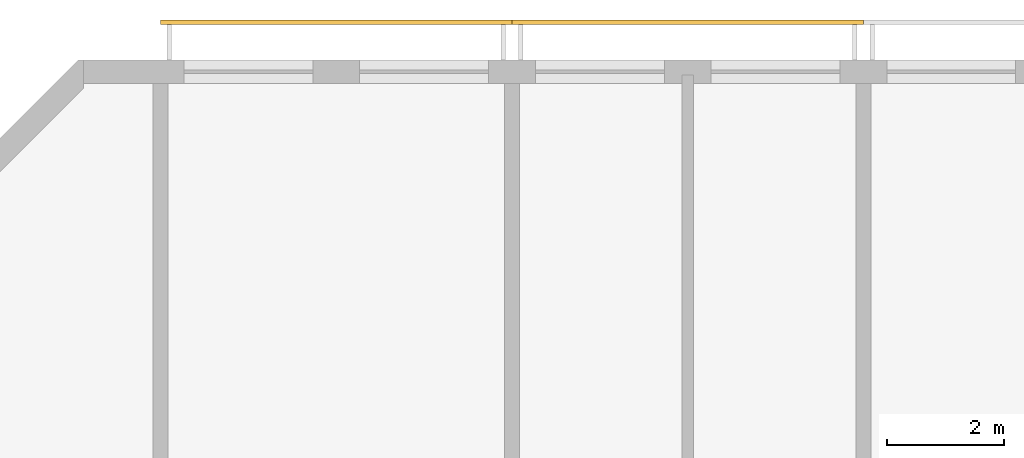
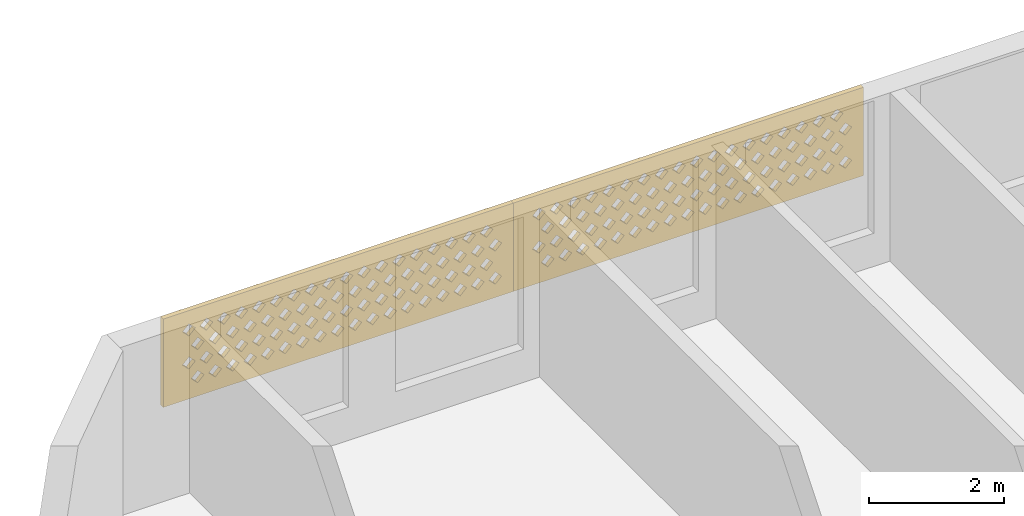
# One storey, part 16 of 18: 2 coverings.
"""IFC4 building model written with IfcOpenShell, lengths in metres."""

from ifc_helpers import new_model, si_unit, direction, frame, origin, place, context, subcontext, project, spatial, polyline, outline, extrude, source, transform, mapped, material, material_profile, profile_set, type_object, element, save


model = new_model("IFC4")

# Units and contexts
model_context = context("Model", 3, precision=1e-05, world=origin(), true_north=direction((0.0, 1.0)))
body_context = subcontext(model_context, "Body", "Model", "MODEL_VIEW")
ifc_project = project(units=[si_unit("LENGTHUNIT", "METRE"), si_unit("AREAUNIT", "SQUARE_METRE"), si_unit("VOLUMEUNIT", "CUBIC_METRE"), si_unit("PLANEANGLEUNIT", "RADIAN"), si_unit("MASSUNIT", "GRAM", prefix="KILO")], contexts=[model_context])

# Site, building, storey
site_placement = place(None, origin())
site = spatial("IfcSite", under=ifc_project, at=site_placement, CompositionType="ELEMENT")
building_placement = place(site_placement, origin())
building = spatial("IfcBuilding", under=site, at=building_placement, Name="Poui Terraces", CompositionType="ELEMENT")
storey_placement = place(building_placement, frame((0.0, 0.0, 285.60009765625)))
storey = spatial("IfcBuildingStorey", under=building, at=storey_placement, Name="L79 CROWN", CompositionType="ELEMENT", Elevation=285.60009765625)

# Coverings
ifc_material = material(Name="Terracotta screen", Category="masonry")
ifc_material_profile = material_profile(ifc_material, outline(polyline([(-3.0, -0.800048828125), (3.0, -0.800048828125), (3.0, 0.800048828125), (-3.0, 0.800048828125), (-3.0, -0.800048828125)]), holes=[polyline([(-2.800048828125, -0.449951171875), (-2.68994140625, -0.56005859375), (-2.580078125, -0.449951171875), (-2.68994140625, -0.340087890625), (-2.800048828125, -0.449951171875)]), polyline([(-2.5, -0.449951171875), (-2.389892578125, -0.56005859375), (-2.280029296875, -0.449951171875), (-2.389892578125, -0.340087890625), (-2.5, -0.449951171875)]), polyline([(-2.199951171875, -0.449951171875), (-2.090087890625, -0.56005859375), (-1.97998046875, -0.449951171875), (-2.090087890625, -0.340087890625), (-2.199951171875, -0.449951171875)]), polyline([(-1.89990234375, -0.449951171875), (-1.7900390625, -0.56005859375), (-1.679931640625, -0.449951171875), (-1.7900390625, -0.340087890625), (-1.89990234375, -0.449951171875)]), polyline([(-1.60009765625, -0.449951171875), (-1.489990234375, -0.56005859375), (-1.3798828125, -0.449951171875), (-1.489990234375, -0.340087890625), (-1.60009765625, -0.449951171875)]), polyline([(-1.300048828125, -0.449951171875), (-1.18994140625, -0.56005859375), (-1.080078125, -0.449951171875), (-1.18994140625, -0.340087890625), (-1.300048828125, -0.449951171875)]), polyline([(-1.0, -0.449951171875), (-0.889892578125, -0.56005859375), (-0.780029296875, -0.449951171875), (-0.889892578125, -0.340087890625), (-1.0, -0.449951171875)]), polyline([(-0.699951171875, -0.449951171875), (-0.590087890625, -0.56005859375), (-0.47998046875, -0.449951171875), (-0.590087890625, -0.340087890625), (-0.699951171875, -0.449951171875)]), polyline([(-0.39990234375, -0.449951171875), (-0.2900390625, -0.56005859375), (-0.179931640625, -0.449951171875), (-0.2900390625, -0.340087890625), (-0.39990234375, -0.449951171875)]), polyline([(-0.10009765625, -0.449951171875), (0.010009765625, -0.56005859375), (0.1201171875, -0.449951171875), (0.010009765625, -0.340087890625), (-0.10009765625, -0.449951171875)]), polyline([(0.199951171875, -0.449951171875), (0.31005859375, -0.56005859375), (0.419921875, -0.449951171875), (0.31005859375, -0.340087890625), (0.199951171875, -0.449951171875)]), polyline([(0.5, -0.449951171875), (0.610107421875, -0.56005859375), (0.719970703125, -0.449951171875), (0.610107421875, -0.340087890625), (0.5, -0.449951171875)]), polyline([(0.800048828125, -0.449951171875), (0.909912109375, -0.56005859375), (1.02001953125, -0.449951171875), (0.909912109375, -0.340087890625), (0.800048828125, -0.449951171875)]), polyline([(1.10009765625, -0.449951171875), (1.2099609375, -0.56005859375), (1.320068359375, -0.449951171875), (1.2099609375, -0.340087890625), (1.10009765625, -0.449951171875)]), polyline([(1.39990234375, -0.449951171875), (1.510009765625, -0.56005859375), (1.6201171875, -0.449951171875), (1.510009765625, -0.340087890625), (1.39990234375, -0.449951171875)]), polyline([(1.699951171875, -0.449951171875), (1.81005859375, -0.56005859375), (1.919921875, -0.449951171875), (1.81005859375, -0.340087890625), (1.699951171875, -0.449951171875)]), polyline([(2.0, -0.449951171875), (2.110107421875, -0.56005859375), (2.219970703125, -0.449951171875), (2.110107421875, -0.340087890625), (2.0, -0.449951171875)]), polyline([(2.300048828125, -0.449951171875), (2.409912109375, -0.56005859375), (2.52001953125, -0.449951171875), (2.409912109375, -0.340087890625), (2.300048828125, -0.449951171875)]), polyline([(-2.64990234375, -0.14990234375), (-2.5400390625, -0.260009765625), (-2.429931640625, -0.14990234375), (-2.5400390625, -0.0400390625), (-2.64990234375, -0.14990234375)]), polyline([(-2.35009765625, -0.14990234375), (-2.239990234375, -0.260009765625), (-2.1298828125, -0.14990234375), (-2.239990234375, -0.0400390625), (-2.35009765625, -0.14990234375)]), polyline([(-2.050048828125, -0.14990234375), (-1.93994140625, -0.260009765625), (-1.830078125, -0.14990234375), (-1.93994140625, -0.0400390625), (-2.050048828125, -0.14990234375)]), polyline([(-1.75, -0.14990234375), (-1.639892578125, -0.260009765625), (-1.530029296875, -0.14990234375), (-1.639892578125, -0.0400390625), (-1.75, -0.14990234375)]), polyline([(-1.449951171875, -0.14990234375), (-1.340087890625, -0.260009765625), (-1.22998046875, -0.14990234375), (-1.340087890625, -0.0400390625), (-1.449951171875, -0.14990234375)]), polyline([(-1.14990234375, -0.14990234375), (-1.0400390625, -0.260009765625), (-0.929931640625, -0.14990234375), (-1.0400390625, -0.0400390625), (-1.14990234375, -0.14990234375)]), polyline([(-0.85009765625, -0.14990234375), (-0.739990234375, -0.260009765625), (-0.6298828125, -0.14990234375), (-0.739990234375, -0.0400390625), (-0.85009765625, -0.14990234375)]), polyline([(-0.550048828125, -0.14990234375), (-0.43994140625, -0.260009765625), (-0.330078125, -0.14990234375), (-0.43994140625, -0.0400390625), (-0.550048828125, -0.14990234375)]), polyline([(-0.25, -0.14990234375), (-0.139892578125, -0.260009765625), (-0.030029296875, -0.14990234375), (-0.139892578125, -0.0400390625), (-0.25, -0.14990234375)]), polyline([(0.050048828125, -0.14990234375), (0.159912109375, -0.260009765625), (0.27001953125, -0.14990234375), (0.159912109375, -0.0400390625), (0.050048828125, -0.14990234375)]), polyline([(0.35009765625, -0.14990234375), (0.4599609375, -0.260009765625), (0.570068359375, -0.14990234375), (0.4599609375, -0.0400390625), (0.35009765625, -0.14990234375)]), polyline([(0.64990234375, -0.14990234375), (0.760009765625, -0.260009765625), (0.8701171875, -0.14990234375), (0.760009765625, -0.0400390625), (0.64990234375, -0.14990234375)]), polyline([(0.949951171875, -0.14990234375), (1.06005859375, -0.260009765625), (1.169921875, -0.14990234375), (1.06005859375, -0.0400390625), (0.949951171875, -0.14990234375)]), polyline([(1.25, -0.14990234375), (1.360107421875, -0.260009765625), (1.469970703125, -0.14990234375), (1.360107421875, -0.0400390625), (1.25, -0.14990234375)]), polyline([(1.550048828125, -0.14990234375), (1.659912109375, -0.260009765625), (1.77001953125, -0.14990234375), (1.659912109375, -0.0400390625), (1.550048828125, -0.14990234375)]), polyline([(1.85009765625, -0.14990234375), (1.9599609375, -0.260009765625), (2.070068359375, -0.14990234375), (1.9599609375, -0.0400390625), (1.85009765625, -0.14990234375)]), polyline([(2.14990234375, -0.14990234375), (2.260009765625, -0.260009765625), (2.3701171875, -0.14990234375), (2.260009765625, -0.0400390625), (2.14990234375, -0.14990234375)]), polyline([(2.449951171875, -0.14990234375), (2.56005859375, -0.260009765625), (2.669921875, -0.14990234375), (2.56005859375, -0.0400390625), (2.449951171875, -0.14990234375)]), polyline([(-2.800048828125, 0.14990234375), (-2.68994140625, 0.0400390625), (-2.580078125, 0.14990234375), (-2.68994140625, 0.260009765625), (-2.800048828125, 0.14990234375)]), polyline([(-2.5, 0.14990234375), (-2.389892578125, 0.0400390625), (-2.280029296875, 0.14990234375), (-2.389892578125, 0.260009765625), (-2.5, 0.14990234375)]), polyline([(-2.199951171875, 0.14990234375), (-2.090087890625, 0.0400390625), (-1.97998046875, 0.14990234375), (-2.090087890625, 0.260009765625), (-2.199951171875, 0.14990234375)]), polyline([(-1.89990234375, 0.14990234375), (-1.7900390625, 0.0400390625), (-1.679931640625, 0.14990234375), (-1.7900390625, 0.260009765625), (-1.89990234375, 0.14990234375)]), polyline([(-1.60009765625, 0.14990234375), (-1.489990234375, 0.0400390625), (-1.3798828125, 0.14990234375), (-1.489990234375, 0.260009765625), (-1.60009765625, 0.14990234375)]), polyline([(-1.300048828125, 0.14990234375), (-1.18994140625, 0.0400390625), (-1.080078125, 0.14990234375), (-1.18994140625, 0.260009765625), (-1.300048828125, 0.14990234375)]), polyline([(-1.0, 0.14990234375), (-0.889892578125, 0.0400390625), (-0.780029296875, 0.14990234375), (-0.889892578125, 0.260009765625), (-1.0, 0.14990234375)]), polyline([(-0.699951171875, 0.14990234375), (-0.590087890625, 0.0400390625), (-0.47998046875, 0.14990234375), (-0.590087890625, 0.260009765625), (-0.699951171875, 0.14990234375)]), polyline([(-0.39990234375, 0.14990234375), (-0.2900390625, 0.0400390625), (-0.179931640625, 0.14990234375), (-0.2900390625, 0.260009765625), (-0.39990234375, 0.14990234375)]), polyline([(-0.10009765625, 0.14990234375), (0.010009765625, 0.0400390625), (0.1201171875, 0.14990234375), (0.010009765625, 0.260009765625), (-0.10009765625, 0.14990234375)]), polyline([(0.199951171875, 0.14990234375), (0.31005859375, 0.0400390625), (0.419921875, 0.14990234375), (0.31005859375, 0.260009765625), (0.199951171875, 0.14990234375)]), polyline([(0.5, 0.14990234375), (0.610107421875, 0.0400390625), (0.719970703125, 0.14990234375), (0.610107421875, 0.260009765625), (0.5, 0.14990234375)]), polyline([(0.800048828125, 0.14990234375), (0.909912109375, 0.0400390625), (1.02001953125, 0.14990234375), (0.909912109375, 0.260009765625), (0.800048828125, 0.14990234375)]), polyline([(1.10009765625, 0.14990234375), (1.2099609375, 0.0400390625), (1.320068359375, 0.14990234375), (1.2099609375, 0.260009765625), (1.10009765625, 0.14990234375)]), polyline([(1.39990234375, 0.14990234375), (1.510009765625, 0.0400390625), (1.6201171875, 0.14990234375), (1.510009765625, 0.260009765625), (1.39990234375, 0.14990234375)]), polyline([(1.699951171875, 0.14990234375), (1.81005859375, 0.0400390625), (1.919921875, 0.14990234375), (1.81005859375, 0.260009765625), (1.699951171875, 0.14990234375)]), polyline([(2.0, 0.14990234375), (2.110107421875, 0.0400390625), (2.219970703125, 0.14990234375), (2.110107421875, 0.260009765625), (2.0, 0.14990234375)]), polyline([(2.300048828125, 0.14990234375), (2.409912109375, 0.0400390625), (2.52001953125, 0.14990234375), (2.409912109375, 0.260009765625), (2.300048828125, 0.14990234375)]), polyline([(-2.64990234375, 0.449951171875), (-2.5400390625, 0.340087890625), (-2.429931640625, 0.449951171875), (-2.5400390625, 0.56005859375), (-2.64990234375, 0.449951171875)]), polyline([(-2.35009765625, 0.449951171875), (-2.239990234375, 0.340087890625), (-2.1298828125, 0.449951171875), (-2.239990234375, 0.56005859375), (-2.35009765625, 0.449951171875)]), polyline([(-2.050048828125, 0.449951171875), (-1.93994140625, 0.340087890625), (-1.830078125, 0.449951171875), (-1.93994140625, 0.56005859375), (-2.050048828125, 0.449951171875)]), polyline([(-1.75, 0.449951171875), (-1.639892578125, 0.340087890625), (-1.530029296875, 0.449951171875), (-1.639892578125, 0.56005859375), (-1.75, 0.449951171875)]), polyline([(-1.449951171875, 0.449951171875), (-1.340087890625, 0.340087890625), (-1.22998046875, 0.449951171875), (-1.340087890625, 0.56005859375), (-1.449951171875, 0.449951171875)]), polyline([(-1.14990234375, 0.449951171875), (-1.0400390625, 0.340087890625), (-0.929931640625, 0.449951171875), (-1.0400390625, 0.56005859375), (-1.14990234375, 0.449951171875)]), polyline([(-0.85009765625, 0.449951171875), (-0.739990234375, 0.340087890625), (-0.6298828125, 0.449951171875), (-0.739990234375, 0.56005859375), (-0.85009765625, 0.449951171875)]), polyline([(-0.550048828125, 0.449951171875), (-0.43994140625, 0.340087890625), (-0.330078125, 0.449951171875), (-0.43994140625, 0.56005859375), (-0.550048828125, 0.449951171875)]), polyline([(-0.25, 0.449951171875), (-0.139892578125, 0.340087890625), (-0.030029296875, 0.449951171875), (-0.139892578125, 0.56005859375), (-0.25, 0.449951171875)]), polyline([(0.050048828125, 0.449951171875), (0.159912109375, 0.340087890625), (0.27001953125, 0.449951171875), (0.159912109375, 0.56005859375), (0.050048828125, 0.449951171875)]), polyline([(0.35009765625, 0.449951171875), (0.4599609375, 0.340087890625), (0.570068359375, 0.449951171875), (0.4599609375, 0.56005859375), (0.35009765625, 0.449951171875)]), polyline([(0.64990234375, 0.449951171875), (0.760009765625, 0.340087890625), (0.8701171875, 0.449951171875), (0.760009765625, 0.56005859375), (0.64990234375, 0.449951171875)]), polyline([(0.949951171875, 0.449951171875), (1.06005859375, 0.340087890625), (1.169921875, 0.449951171875), (1.06005859375, 0.56005859375), (0.949951171875, 0.449951171875)]), polyline([(1.25, 0.449951171875), (1.360107421875, 0.340087890625), (1.469970703125, 0.449951171875), (1.360107421875, 0.56005859375), (1.25, 0.449951171875)]), polyline([(1.550048828125, 0.449951171875), (1.659912109375, 0.340087890625), (1.77001953125, 0.449951171875), (1.659912109375, 0.56005859375), (1.550048828125, 0.449951171875)]), polyline([(1.85009765625, 0.449951171875), (1.9599609375, 0.340087890625), (2.070068359375, 0.449951171875), (1.9599609375, 0.56005859375), (1.85009765625, 0.449951171875)]), polyline([(2.14990234375, 0.449951171875), (2.260009765625, 0.340087890625), (2.3701171875, 0.449951171875), (2.260009765625, 0.56005859375), (2.14990234375, 0.449951171875)]), polyline([(2.449951171875, 0.449951171875), (2.56005859375, 0.340087890625), (2.669921875, 0.449951171875), (2.56005859375, 0.56005859375), (2.449951171875, 0.449951171875)])]), Name="TERRACOTTA SOLAR SCREEN 6000X1600")
ifc_profile_set = profile_set([ifc_material_profile], Name="Terracotta screen")
covering_type = type_object("IfcCoveringType", Name="TERRACOTTA SOLAR SCREEN 6000X1600", PredefinedType="CLADDING", material=ifc_profile_set)
shared_shape = source(origin(), body_context, "Body", "SweptSolid", [
    extrude(outline(polyline([(-3.0, -0.800048828125), (3.0, -0.800048828125), (3.0, 0.800048828125), (-3.0, 0.800048828125), (-3.0, -0.800048828125)]), holes=[polyline([(-2.800048828125, -0.449951171875), (-2.68994140625, -0.56005859375), (-2.580078125, -0.449951171875), (-2.68994140625, -0.340087890625), (-2.800048828125, -0.449951171875)]), polyline([(-2.5, -0.449951171875), (-2.389892578125, -0.56005859375), (-2.280029296875, -0.449951171875), (-2.389892578125, -0.340087890625), (-2.5, -0.449951171875)]), polyline([(-2.199951171875, -0.449951171875), (-2.090087890625, -0.56005859375), (-1.97998046875, -0.449951171875), (-2.090087890625, -0.340087890625), (-2.199951171875, -0.449951171875)]), polyline([(-1.89990234375, -0.449951171875), (-1.7900390625, -0.56005859375), (-1.679931640625, -0.449951171875), (-1.7900390625, -0.340087890625), (-1.89990234375, -0.449951171875)]), polyline([(-1.60009765625, -0.449951171875), (-1.489990234375, -0.56005859375), (-1.3798828125, -0.449951171875), (-1.489990234375, -0.340087890625), (-1.60009765625, -0.449951171875)]), polyline([(-1.300048828125, -0.449951171875), (-1.18994140625, -0.56005859375), (-1.080078125, -0.449951171875), (-1.18994140625, -0.340087890625), (-1.300048828125, -0.449951171875)]), polyline([(-1.0, -0.449951171875), (-0.889892578125, -0.56005859375), (-0.780029296875, -0.449951171875), (-0.889892578125, -0.340087890625), (-1.0, -0.449951171875)]), polyline([(-0.699951171875, -0.449951171875), (-0.590087890625, -0.56005859375), (-0.47998046875, -0.449951171875), (-0.590087890625, -0.340087890625), (-0.699951171875, -0.449951171875)]), polyline([(-0.39990234375, -0.449951171875), (-0.2900390625, -0.56005859375), (-0.179931640625, -0.449951171875), (-0.2900390625, -0.340087890625), (-0.39990234375, -0.449951171875)]), polyline([(-0.10009765625, -0.449951171875), (0.010009765625, -0.56005859375), (0.1201171875, -0.449951171875), (0.010009765625, -0.340087890625), (-0.10009765625, -0.449951171875)]), polyline([(0.199951171875, -0.449951171875), (0.31005859375, -0.56005859375), (0.419921875, -0.449951171875), (0.31005859375, -0.340087890625), (0.199951171875, -0.449951171875)]), polyline([(0.5, -0.449951171875), (0.610107421875, -0.56005859375), (0.719970703125, -0.449951171875), (0.610107421875, -0.340087890625), (0.5, -0.449951171875)]), polyline([(0.800048828125, -0.449951171875), (0.909912109375, -0.56005859375), (1.02001953125, -0.449951171875), (0.909912109375, -0.340087890625), (0.800048828125, -0.449951171875)]), polyline([(1.10009765625, -0.449951171875), (1.2099609375, -0.56005859375), (1.320068359375, -0.449951171875), (1.2099609375, -0.340087890625), (1.10009765625, -0.449951171875)]), polyline([(1.39990234375, -0.449951171875), (1.510009765625, -0.56005859375), (1.6201171875, -0.449951171875), (1.510009765625, -0.340087890625), (1.39990234375, -0.449951171875)]), polyline([(1.699951171875, -0.449951171875), (1.81005859375, -0.56005859375), (1.919921875, -0.449951171875), (1.81005859375, -0.340087890625), (1.699951171875, -0.449951171875)]), polyline([(2.0, -0.449951171875), (2.110107421875, -0.56005859375), (2.219970703125, -0.449951171875), (2.110107421875, -0.340087890625), (2.0, -0.449951171875)]), polyline([(2.300048828125, -0.449951171875), (2.409912109375, -0.56005859375), (2.52001953125, -0.449951171875), (2.409912109375, -0.340087890625), (2.300048828125, -0.449951171875)]), polyline([(-2.64990234375, -0.14990234375), (-2.5400390625, -0.260009765625), (-2.429931640625, -0.14990234375), (-2.5400390625, -0.0400390625), (-2.64990234375, -0.14990234375)]), polyline([(-2.35009765625, -0.14990234375), (-2.239990234375, -0.260009765625), (-2.1298828125, -0.14990234375), (-2.239990234375, -0.0400390625), (-2.35009765625, -0.14990234375)]), polyline([(-2.050048828125, -0.14990234375), (-1.93994140625, -0.260009765625), (-1.830078125, -0.14990234375), (-1.93994140625, -0.0400390625), (-2.050048828125, -0.14990234375)]), polyline([(-1.75, -0.14990234375), (-1.639892578125, -0.260009765625), (-1.530029296875, -0.14990234375), (-1.639892578125, -0.0400390625), (-1.75, -0.14990234375)]), polyline([(-1.449951171875, -0.14990234375), (-1.340087890625, -0.260009765625), (-1.22998046875, -0.14990234375), (-1.340087890625, -0.0400390625), (-1.449951171875, -0.14990234375)]), polyline([(-1.14990234375, -0.14990234375), (-1.0400390625, -0.260009765625), (-0.929931640625, -0.14990234375), (-1.0400390625, -0.0400390625), (-1.14990234375, -0.14990234375)]), polyline([(-0.85009765625, -0.14990234375), (-0.739990234375, -0.260009765625), (-0.6298828125, -0.14990234375), (-0.739990234375, -0.0400390625), (-0.85009765625, -0.14990234375)]), polyline([(-0.550048828125, -0.14990234375), (-0.43994140625, -0.260009765625), (-0.330078125, -0.14990234375), (-0.43994140625, -0.0400390625), (-0.550048828125, -0.14990234375)]), polyline([(-0.25, -0.14990234375), (-0.139892578125, -0.260009765625), (-0.030029296875, -0.14990234375), (-0.139892578125, -0.0400390625), (-0.25, -0.14990234375)]), polyline([(0.050048828125, -0.14990234375), (0.159912109375, -0.260009765625), (0.27001953125, -0.14990234375), (0.159912109375, -0.0400390625), (0.050048828125, -0.14990234375)]), polyline([(0.35009765625, -0.14990234375), (0.4599609375, -0.260009765625), (0.570068359375, -0.14990234375), (0.4599609375, -0.0400390625), (0.35009765625, -0.14990234375)]), polyline([(0.64990234375, -0.14990234375), (0.760009765625, -0.260009765625), (0.8701171875, -0.14990234375), (0.760009765625, -0.0400390625), (0.64990234375, -0.14990234375)]), polyline([(0.949951171875, -0.14990234375), (1.06005859375, -0.260009765625), (1.169921875, -0.14990234375), (1.06005859375, -0.0400390625), (0.949951171875, -0.14990234375)]), polyline([(1.25, -0.14990234375), (1.360107421875, -0.260009765625), (1.469970703125, -0.14990234375), (1.360107421875, -0.0400390625), (1.25, -0.14990234375)]), polyline([(1.550048828125, -0.14990234375), (1.659912109375, -0.260009765625), (1.77001953125, -0.14990234375), (1.659912109375, -0.0400390625), (1.550048828125, -0.14990234375)]), polyline([(1.85009765625, -0.14990234375), (1.9599609375, -0.260009765625), (2.070068359375, -0.14990234375), (1.9599609375, -0.0400390625), (1.85009765625, -0.14990234375)]), polyline([(2.14990234375, -0.14990234375), (2.260009765625, -0.260009765625), (2.3701171875, -0.14990234375), (2.260009765625, -0.0400390625), (2.14990234375, -0.14990234375)]), polyline([(2.449951171875, -0.14990234375), (2.56005859375, -0.260009765625), (2.669921875, -0.14990234375), (2.56005859375, -0.0400390625), (2.449951171875, -0.14990234375)]), polyline([(-2.800048828125, 0.14990234375), (-2.68994140625, 0.0400390625), (-2.580078125, 0.14990234375), (-2.68994140625, 0.260009765625), (-2.800048828125, 0.14990234375)]), polyline([(-2.5, 0.14990234375), (-2.389892578125, 0.0400390625), (-2.280029296875, 0.14990234375), (-2.389892578125, 0.260009765625), (-2.5, 0.14990234375)]), polyline([(-2.199951171875, 0.14990234375), (-2.090087890625, 0.0400390625), (-1.97998046875, 0.14990234375), (-2.090087890625, 0.260009765625), (-2.199951171875, 0.14990234375)]), polyline([(-1.89990234375, 0.14990234375), (-1.7900390625, 0.0400390625), (-1.679931640625, 0.14990234375), (-1.7900390625, 0.260009765625), (-1.89990234375, 0.14990234375)]), polyline([(-1.60009765625, 0.14990234375), (-1.489990234375, 0.0400390625), (-1.3798828125, 0.14990234375), (-1.489990234375, 0.260009765625), (-1.60009765625, 0.14990234375)]), polyline([(-1.300048828125, 0.14990234375), (-1.18994140625, 0.0400390625), (-1.080078125, 0.14990234375), (-1.18994140625, 0.260009765625), (-1.300048828125, 0.14990234375)]), polyline([(-1.0, 0.14990234375), (-0.889892578125, 0.0400390625), (-0.780029296875, 0.14990234375), (-0.889892578125, 0.260009765625), (-1.0, 0.14990234375)]), polyline([(-0.699951171875, 0.14990234375), (-0.590087890625, 0.0400390625), (-0.47998046875, 0.14990234375), (-0.590087890625, 0.260009765625), (-0.699951171875, 0.14990234375)]), polyline([(-0.39990234375, 0.14990234375), (-0.2900390625, 0.0400390625), (-0.179931640625, 0.14990234375), (-0.2900390625, 0.260009765625), (-0.39990234375, 0.14990234375)]), polyline([(-0.10009765625, 0.14990234375), (0.010009765625, 0.0400390625), (0.1201171875, 0.14990234375), (0.010009765625, 0.260009765625), (-0.10009765625, 0.14990234375)]), polyline([(0.199951171875, 0.14990234375), (0.31005859375, 0.0400390625), (0.419921875, 0.14990234375), (0.31005859375, 0.260009765625), (0.199951171875, 0.14990234375)]), polyline([(0.5, 0.14990234375), (0.610107421875, 0.0400390625), (0.719970703125, 0.14990234375), (0.610107421875, 0.260009765625), (0.5, 0.14990234375)]), polyline([(0.800048828125, 0.14990234375), (0.909912109375, 0.0400390625), (1.02001953125, 0.14990234375), (0.909912109375, 0.260009765625), (0.800048828125, 0.14990234375)]), polyline([(1.10009765625, 0.14990234375), (1.2099609375, 0.0400390625), (1.320068359375, 0.14990234375), (1.2099609375, 0.260009765625), (1.10009765625, 0.14990234375)]), polyline([(1.39990234375, 0.14990234375), (1.510009765625, 0.0400390625), (1.6201171875, 0.14990234375), (1.510009765625, 0.260009765625), (1.39990234375, 0.14990234375)]), polyline([(1.699951171875, 0.14990234375), (1.81005859375, 0.0400390625), (1.919921875, 0.14990234375), (1.81005859375, 0.260009765625), (1.699951171875, 0.14990234375)]), polyline([(2.0, 0.14990234375), (2.110107421875, 0.0400390625), (2.219970703125, 0.14990234375), (2.110107421875, 0.260009765625), (2.0, 0.14990234375)]), polyline([(2.300048828125, 0.14990234375), (2.409912109375, 0.0400390625), (2.52001953125, 0.14990234375), (2.409912109375, 0.260009765625), (2.300048828125, 0.14990234375)]), polyline([(-2.64990234375, 0.449951171875), (-2.5400390625, 0.340087890625), (-2.429931640625, 0.449951171875), (-2.5400390625, 0.56005859375), (-2.64990234375, 0.449951171875)]), polyline([(-2.35009765625, 0.449951171875), (-2.239990234375, 0.340087890625), (-2.1298828125, 0.449951171875), (-2.239990234375, 0.56005859375), (-2.35009765625, 0.449951171875)]), polyline([(-2.050048828125, 0.449951171875), (-1.93994140625, 0.340087890625), (-1.830078125, 0.449951171875), (-1.93994140625, 0.56005859375), (-2.050048828125, 0.449951171875)]), polyline([(-1.75, 0.449951171875), (-1.639892578125, 0.340087890625), (-1.530029296875, 0.449951171875), (-1.639892578125, 0.56005859375), (-1.75, 0.449951171875)]), polyline([(-1.449951171875, 0.449951171875), (-1.340087890625, 0.340087890625), (-1.22998046875, 0.449951171875), (-1.340087890625, 0.56005859375), (-1.449951171875, 0.449951171875)]), polyline([(-1.14990234375, 0.449951171875), (-1.0400390625, 0.340087890625), (-0.929931640625, 0.449951171875), (-1.0400390625, 0.56005859375), (-1.14990234375, 0.449951171875)]), polyline([(-0.85009765625, 0.449951171875), (-0.739990234375, 0.340087890625), (-0.6298828125, 0.449951171875), (-0.739990234375, 0.56005859375), (-0.85009765625, 0.449951171875)]), polyline([(-0.550048828125, 0.449951171875), (-0.43994140625, 0.340087890625), (-0.330078125, 0.449951171875), (-0.43994140625, 0.56005859375), (-0.550048828125, 0.449951171875)]), polyline([(-0.25, 0.449951171875), (-0.139892578125, 0.340087890625), (-0.030029296875, 0.449951171875), (-0.139892578125, 0.56005859375), (-0.25, 0.449951171875)]), polyline([(0.050048828125, 0.449951171875), (0.159912109375, 0.340087890625), (0.27001953125, 0.449951171875), (0.159912109375, 0.56005859375), (0.050048828125, 0.449951171875)]), polyline([(0.35009765625, 0.449951171875), (0.4599609375, 0.340087890625), (0.570068359375, 0.449951171875), (0.4599609375, 0.56005859375), (0.35009765625, 0.449951171875)]), polyline([(0.64990234375, 0.449951171875), (0.760009765625, 0.340087890625), (0.8701171875, 0.449951171875), (0.760009765625, 0.56005859375), (0.64990234375, 0.449951171875)]), polyline([(0.949951171875, 0.449951171875), (1.06005859375, 0.340087890625), (1.169921875, 0.449951171875), (1.06005859375, 0.56005859375), (0.949951171875, 0.449951171875)]), polyline([(1.25, 0.449951171875), (1.360107421875, 0.340087890625), (1.469970703125, 0.449951171875), (1.360107421875, 0.56005859375), (1.25, 0.449951171875)]), polyline([(1.550048828125, 0.449951171875), (1.659912109375, 0.340087890625), (1.77001953125, 0.449951171875), (1.659912109375, 0.56005859375), (1.550048828125, 0.449951171875)]), polyline([(1.85009765625, 0.449951171875), (1.9599609375, 0.340087890625), (2.070068359375, 0.449951171875), (1.9599609375, 0.56005859375), (1.85009765625, 0.449951171875)]), polyline([(2.14990234375, 0.449951171875), (2.260009765625, 0.340087890625), (2.3701171875, 0.449951171875), (2.260009765625, 0.56005859375), (2.14990234375, 0.449951171875)]), polyline([(2.449951171875, 0.449951171875), (2.56005859375, 0.340087890625), (2.669921875, 0.449951171875), (2.56005859375, 0.56005859375), (2.449951171875, 0.449951171875)])]), origin(), (0.0, 0.0, 1.0), 0.080078125),
])
for number, where, z_axis, x_axis, name in (
    (1, (27.0, 42.0, 1.699951171875), (0.0, 1.0, 0.0), (-1.0, 0.0, 0.0), "SOLAR SCREEN"),
    (2, (33.0, 42.0, 1.699951171875), (0.0, 1.0, 0.0), (-1.0, 0.0, 0.0), "SOLAR SCREEN"),
):
    element("IfcCovering", number, at=place(storey_placement, frame(where, z_axis=z_axis, x_axis=x_axis)), inside=storey, type_object=covering_type, Name=name, PredefinedType="CLADDING", context=body_context, shape_type="MappedRepresentation", body=[
        mapped(shared_shape, transform((0.0, 0.0, 0.0))),
    ])

save(model, "model.ifc")
